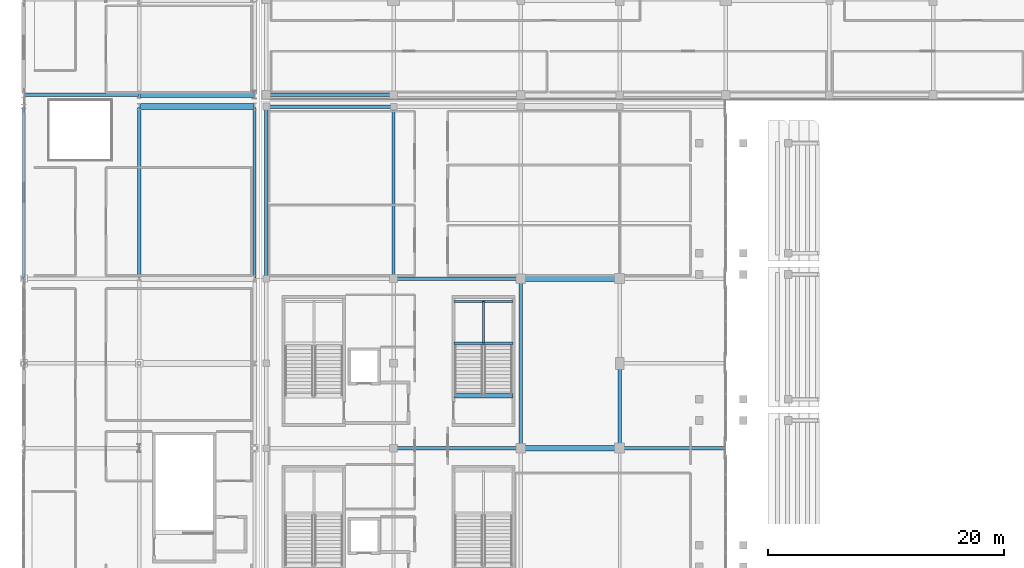
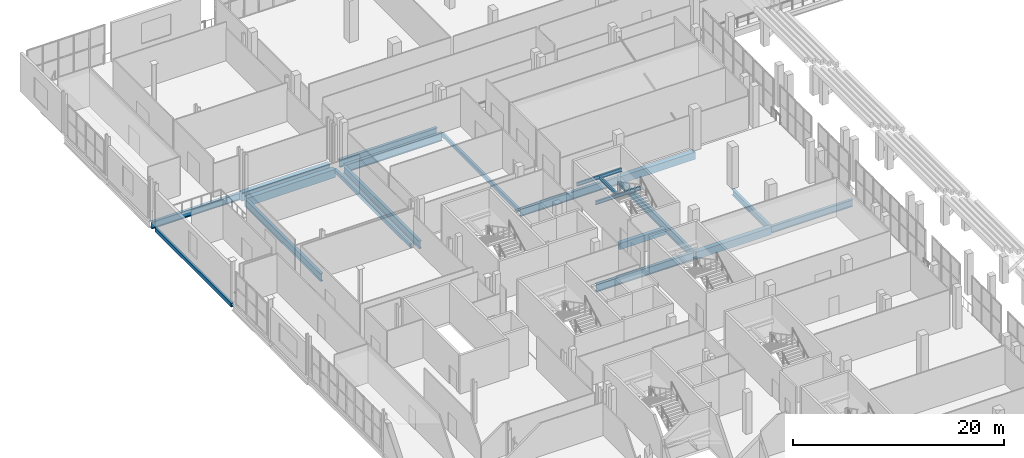
# One storey, part 35 of 142: 21 beams.
"""IFC4 building model written with IfcOpenShell, lengths in metres."""

from ifc_helpers import new_model, si_unit, direction, frame, origin, origin_2d, place, context, subcontext, project, spatial, rectangle, hollow_rectangle, i_section, extrude, material, material_profile, profile_set, type_object, element, save


model = new_model("IFC4")

# Units and contexts
model_context = context("Model", 3, precision=1e-05, world=origin(), true_north=direction((0.0, 1.0)))
body_context = subcontext(model_context, "Body", "Model", "MODEL_VIEW")
ifc_project = project(units=[si_unit("LENGTHUNIT", "METRE"), si_unit("AREAUNIT", "SQUARE_METRE"), si_unit("VOLUMEUNIT", "CUBIC_METRE"), si_unit("PLANEANGLEUNIT", "RADIAN"), si_unit("MASSUNIT", "GRAM", prefix="KILO")], contexts=[model_context])

# Site, building, storey
site_placement = place(None, origin())
site = spatial("IfcSite", under=ifc_project, at=site_placement, CompositionType="ELEMENT")
building_placement = place(site_placement, origin())
building = spatial("IfcBuilding", under=site, at=building_placement, Name="Koshinbarg Plaza Stadium", CompositionType="ELEMENT")
storey_placement = place(building_placement, frame((0.0, 0.0, 10.199951171875)))
storey = spatial("IfcBuildingStorey", under=building, at=storey_placement, Name="L02", CompositionType="ELEMENT", Elevation=10.199951171875)

# Beams
ifc_material_1 = material(Name="Concrete C40/50", Category="concrete")
ifc_material_profile_1 = material_profile(ifc_material_1, rectangle(XDim=0.39990234375, YDim=0.75, at=origin_2d()), Name="RC 400x750")
ifc_profile_set_1 = profile_set([ifc_material_profile_1], Name="Concrete C40/50")
beam_type_1 = type_object("IfcBeamType", Name="BM-RCG-03", PredefinedType="USERDEFINED", material=ifc_profile_set_1)
beam_1_placement = place(storey_placement, frame((40.550048828125, 101.9599609375, -0.375), z_axis=(1.0, 0.0, 0.0), x_axis=(0.0, 1.0, 0.0)))
element("IfcBeam", 1, at=beam_1_placement, inside=storey, type_object=beam_type_1, Name="L02 stair landing header beam VX06", ObjectType="GIRDER", PredefinedType="USERDEFINED", context=body_context, shape_type="SweptSolid", body=[
    extrude(rectangle(XDim=0.39990234375, YDim=0.75, at=origin_2d()), origin(), (0.0, 0.0, 1.0), 4.969970703125),
])
ifc_material_profile_2 = material_profile(ifc_material_1, rectangle(XDim=0.5, YDim=0.85009765625, at=origin_2d()), Name="RC 500x850")
ifc_profile_set_2 = profile_set([ifc_material_profile_2], Name="Concrete C40/50")
beam_type_2 = type_object("IfcBeamType", Name="BM-RCG-05", PredefinedType="USERDEFINED", material=ifc_profile_set_2)
for number, where, z_axis, x_axis, name in (
    (2, (46.260009765625, 97.5, -0.724853515625), (1.0, 0.0, 0.0), (0.0, 1.0, 0.0), "L02 X girder N/7-8"),
    (3, (46.260009765625, 111.89990234375, -0.724853515625), (1.0, 0.0, 0.0), (0.0, 1.0, 0.0), "L02 X girder Q/7-8"),
):
    element("IfcBeam", number, at=place(storey_placement, frame(where, z_axis=z_axis, x_axis=x_axis)), inside=storey, type_object=beam_type_2, Name=name, ObjectType="GIRDER", PredefinedType="USERDEFINED", context=body_context, shape_type="SweptSolid", body=[
        extrude(rectangle(XDim=0.5, YDim=0.85009765625, at=origin_2d()), origin(), (0.0, 0.0, 1.0), 8.280029296875),
    ])
ifc_material_profile_3 = material_profile(ifc_material_1, rectangle(XDim=0.5, YDim=0.949951171875, at=origin_2d()), Name="RC 500x950")
ifc_profile_set_3 = profile_set([ifc_material_profile_3], Name="Concrete C40/50")
beam_type_3 = type_object("IfcBeamType", Name="BM-RCG-06", PredefinedType="USERDEFINED", material=ifc_profile_set_3)
for number, where, z_axis, x_axis, name in (
    (4, (13.860107421875, 126.5, -0.77490234375), (1.0, 0.0, 0.0), (0.0, 1.0, 0.0), "L02 X girder R/3-4"),
    (5, (13.860107421875, 127.5, -0.77490234375), (1.0, 0.0, 0.0), (0.0, 1.0, 0.0), "L02 X girder S/3-4"),
):
    element("IfcBeam", number, at=place(storey_placement, frame(where, z_axis=z_axis, x_axis=x_axis)), inside=storey, type_object=beam_type_3, Name=name, ObjectType="GIRDER", PredefinedType="USERDEFINED", context=body_context, shape_type="SweptSolid", body=[
        extrude(rectangle(XDim=0.5, YDim=0.949951171875, at=origin_2d()), origin(), (0.0, 0.0, 1.0), 9.679931640625),
    ])
ifc_material_2 = material(Name="Steel S355", Category="steel")
ifc_material_profile_4 = material_profile(ifc_material_2, i_section(OverallWidth=0.179931640625, OverallDepth=0.39990234375, WebThickness=0.008544921875, FlangeThickness=0.013427734375, at=origin_2d()), Name="IPE 400")
ifc_profile_set_4 = profile_set([ifc_material_profile_4], Name="Steel S355")
beam_type_4 = type_object("IfcBeamType", Name="BM-SBM-01", PredefinedType="BEAM", material=ifc_profile_set_4)
for number, where, z_axis, x_axis, name in (
    (6, (40.550048828125, 106.409912109375, 1.880126953125), (1.0, 0.0, 0.0), (0.0, 1.0, 0.0), "L02 Upper Vomitory Stair VX06 landing trimmer beam 1"),
    (7, (40.550048828125, 109.949951171875, 1.880126953125), (1.0, 0.0, 0.0), (0.0, 1.0, 0.0), "L02 Upper Vomitory Stair VX06 landing trimmer beam 2"),
):
    element("IfcBeam", number, at=place(storey_placement, frame(where, z_axis=z_axis, x_axis=x_axis)), inside=storey, type_object=beam_type_4, Name=name, PredefinedType="BEAM", context=body_context, shape_type="SweptSolid", body=[
        extrude(i_section(OverallWidth=0.179931640625, OverallDepth=0.39990234375, WebThickness=0.008544921875, FlangeThickness=0.013427734375, at=origin_2d()), origin(), (0.0, 0.0, 1.0), 4.969970703125),
    ])
beam_2_placement = place(storey_placement, frame((43.034912109375, 106.409912109375, 1.880126953125), z_axis=(0.0, 1.0, 0.0), x_axis=(-1.0, 0.0, 0.0)))
element("IfcBeam", 8, at=beam_2_placement, inside=storey, type_object=beam_type_4, Name="L02 Upper Vomitory Stair VX06 landing trimmer beam 3", PredefinedType="BEAM", context=body_context, shape_type="SweptSolid", body=[
    extrude(i_section(OverallWidth=0.179931640625, OverallDepth=0.39990234375, WebThickness=0.008544921875, FlangeThickness=0.013427734375, at=origin_2d()), origin(), (0.0, 0.0, 1.0), 3.5400390625),
])
ifc_material_profile_5 = material_profile(ifc_material_2, i_section(OverallWidth=0.300048828125, OverallDepth=0.699951171875, WebThickness=0.01708984375, FlangeThickness=0.031982421875, at=origin_2d()), Name="HEB 700")
ifc_profile_set_5 = profile_set([ifc_material_profile_5], Name="Steel S355")
beam_type_5 = type_object("IfcBeamType", Name="BM-SGIR-03", PredefinedType="USERDEFINED", material=ifc_profile_set_5)
beam_3_placement = place(storey_placement, frame((54.60009765625, 97.56005859375, -0.64990234375), z_axis=(0.0, 1.0, 0.0), x_axis=(-1.0, 0.0, 0.0)))
element("IfcBeam", 9, at=beam_3_placement, inside=storey, type_object=beam_type_5, Name="L02 Y girder 8/N-P", ObjectType="GIRDER", PredefinedType="USERDEFINED", context=body_context, shape_type="SweptSolid", body=[
    extrude(i_section(OverallWidth=0.300048828125, OverallDepth=0.699951171875, WebThickness=0.01708984375, FlangeThickness=0.031982421875, at=origin_2d()), origin(), (0.0, 0.0, 1.0), 7.079833984375),
])
ifc_material_profile_6 = material_profile(ifc_material_2, i_section(OverallWidth=0.300048828125, OverallDepth=0.800048828125, WebThickness=0.017578125, FlangeThickness=0.032958984375, at=origin_2d()), Name="HEB 800")
ifc_profile_set_6 = profile_set([ifc_material_profile_6], Name="Steel S355")
beam_type_6 = type_object("IfcBeamType", Name="BM-SGIR-04", PredefinedType="USERDEFINED", material=ifc_profile_set_6)
beam_4_placement = place(storey_placement, frame((54.659912109375, 97.5, -0.699951171875), z_axis=(1.0, 0.0, 0.0), x_axis=(0.0, 1.0, 0.0)))
element("IfcBeam", 10, at=beam_4_placement, inside=storey, type_object=beam_type_6, Name="L02 X girder N/8-9", ObjectType="GIRDER", PredefinedType="USERDEFINED", context=body_context, shape_type="SweptSolid", body=[
    extrude(i_section(OverallWidth=0.300048828125, OverallDepth=0.800048828125, WebThickness=0.017578125, FlangeThickness=0.032958984375, at=origin_2d()), origin(), (0.0, 0.0, 1.0), 8.880126953125),
])
beam_5_placement = place(storey_placement, frame((4.06005859375, 127.5, -0.699951171875), z_axis=(1.0, 0.0, 0.0), x_axis=(0.0, 1.0, 0.0)))
element("IfcBeam", 11, at=beam_5_placement, inside=storey, type_object=beam_type_6, Name="L02 X girder S/2-3", ObjectType="GIRDER", PredefinedType="USERDEFINED", context=body_context, shape_type="SweptSolid", body=[
    extrude(i_section(OverallWidth=0.300048828125, OverallDepth=0.800048828125, WebThickness=0.017578125, FlangeThickness=0.032958984375, at=origin_2d()), origin(), (0.0, 0.0, 1.0), 9.679931640625),
])
ifc_material_profile_7 = material_profile(ifc_material_2, i_section(OverallWidth=0.300048828125, OverallDepth=0.89990234375, WebThickness=0.0185546875, FlangeThickness=0.034912109375, at=origin_2d()), Name="HEB 900")
ifc_profile_set_7 = profile_set([ifc_material_profile_7], Name="Steel S355")
beam_type_7 = type_object("IfcBeamType", Name="BM-SGIR-05", PredefinedType="USERDEFINED", material=ifc_profile_set_7)
for number, where, z_axis, x_axis, name in (
    (12, (35.4599609375, 97.5, -0.75), (1.0, 0.0, 0.0), (0.0, 1.0, 0.0), "L02 X girder N/6-7"),
    (13, (35.4599609375, 111.89990234375, -0.75), (1.0, 0.0, 0.0), (0.0, 1.0, 0.0), "L02 X girder Q/6-7"),
):
    element("IfcBeam", number, at=place(storey_placement, frame(where, z_axis=z_axis, x_axis=x_axis)), inside=storey, type_object=beam_type_7, Name=name, ObjectType="GIRDER", PredefinedType="USERDEFINED", context=body_context, shape_type="SweptSolid", body=[
        extrude(i_section(OverallWidth=0.300048828125, OverallDepth=0.89990234375, WebThickness=0.0185546875, FlangeThickness=0.034912109375, at=origin_2d()), origin(), (0.0, 0.0, 1.0), 10.679931640625),
    ])
for number, where, z_axis, x_axis, name in (
    (14, (24.659912109375, 126.5, -0.75), (1.0, 0.0, 0.0), (0.0, 1.0, 0.0), "L02 X girder R/5-6"),
    (15, (24.659912109375, 127.5, -0.75), (1.0, 0.0, 0.0), (0.0, 1.0, 0.0), "L02 X girder S/5-6"),
):
    element("IfcBeam", number, at=place(storey_placement, frame(where, z_axis=z_axis, x_axis=x_axis)), inside=storey, type_object=beam_type_7, Name=name, ObjectType="GIRDER", PredefinedType="USERDEFINED", context=body_context, shape_type="SweptSolid", body=[
        extrude(i_section(OverallWidth=0.300048828125, OverallDepth=0.89990234375, WebThickness=0.0185546875, FlangeThickness=0.034912109375, at=origin_2d()), origin(), (0.0, 0.0, 1.0), 10.68017578125),
    ])
for number, where, z_axis, x_axis, name in (
    (16, (13.800048828125, 111.9599609375, -0.75), (0.0, 1.0, 0.0), (-1.0, 0.0, 0.0), "L02 Y girder 3/Q-R"),
    (17, (24.60009765625, 111.9599609375, -0.75), (0.0, 1.0, 0.0), (-1.0, 0.0, 0.0), "L02 Y girder 5/Q-R"),
):
    element("IfcBeam", number, at=place(storey_placement, frame(where, z_axis=z_axis, x_axis=x_axis)), inside=storey, type_object=beam_type_7, Name=name, ObjectType="GIRDER", PredefinedType="USERDEFINED", context=body_context, shape_type="SweptSolid", body=[
        extrude(i_section(OverallWidth=0.300048828125, OverallDepth=0.89990234375, WebThickness=0.0185546875, FlangeThickness=0.034912109375, at=origin_2d()), origin(), (0.0, 0.0, 1.0), 14.47998046875),
    ])
beam_6_placement = place(storey_placement, frame((46.199951171875, 97.56005859375, -0.75), z_axis=(0.0, 1.0, 0.0), x_axis=(-1.0, 0.0, 0.0)))
element("IfcBeam", 18, at=beam_6_placement, inside=storey, type_object=beam_type_7, Name="L02 Y girder 7/N-Q", ObjectType="GIRDER", PredefinedType="USERDEFINED", context=body_context, shape_type="SweptSolid", body=[
    extrude(i_section(OverallWidth=0.300048828125, OverallDepth=0.89990234375, WebThickness=0.0185546875, FlangeThickness=0.034912109375, at=origin_2d()), origin(), (0.0, 0.0, 1.0), 14.280029296875),
])
ifc_material_profile_8 = material_profile(ifc_material_2, hollow_rectangle(XDim=0.25, YDim=0.449951171875, WallThickness=0.01611328125, at=origin_2d()), Name="RHS 450x250x16")
ifc_profile_set_8 = profile_set([ifc_material_profile_8], Name="Steel S355")
beam_type_8 = type_object("IfcBeamType", Name="BM-SGIR-06", PredefinedType="USERDEFINED", material=ifc_profile_set_8)
for number, where, z_axis, x_axis, name in (
    (19, (4.0, 111.9599609375, -0.52490234375), (0.0, 1.0, 0.0), (-1.0, 0.0, 0.0), "L02 Y girder 2/Q-R"),
    (20, (23.60009765625, 111.9599609375, -0.52490234375), (0.0, 1.0, 0.0), (-1.0, 0.0, 0.0), "L02 Y girder 4/Q-R"),
    (21, (35.39990234375, 111.9599609375, -0.52490234375), (0.0, 1.0, 0.0), (-1.0, 0.0, 0.0), "L02 Y girder 6/Q-R"),
):
    element("IfcBeam", number, at=place(storey_placement, frame(where, z_axis=z_axis, x_axis=x_axis)), inside=storey, type_object=beam_type_8, Name=name, ObjectType="GIRDER", PredefinedType="USERDEFINED", context=body_context, shape_type="SweptSolid", body=[
        extrude(hollow_rectangle(XDim=0.25, YDim=0.449951171875, WallThickness=0.01611328125, at=origin_2d()), origin(), (0.0, 0.0, 1.0), 14.47998046875),
    ])

save(model, "model.ifc")
